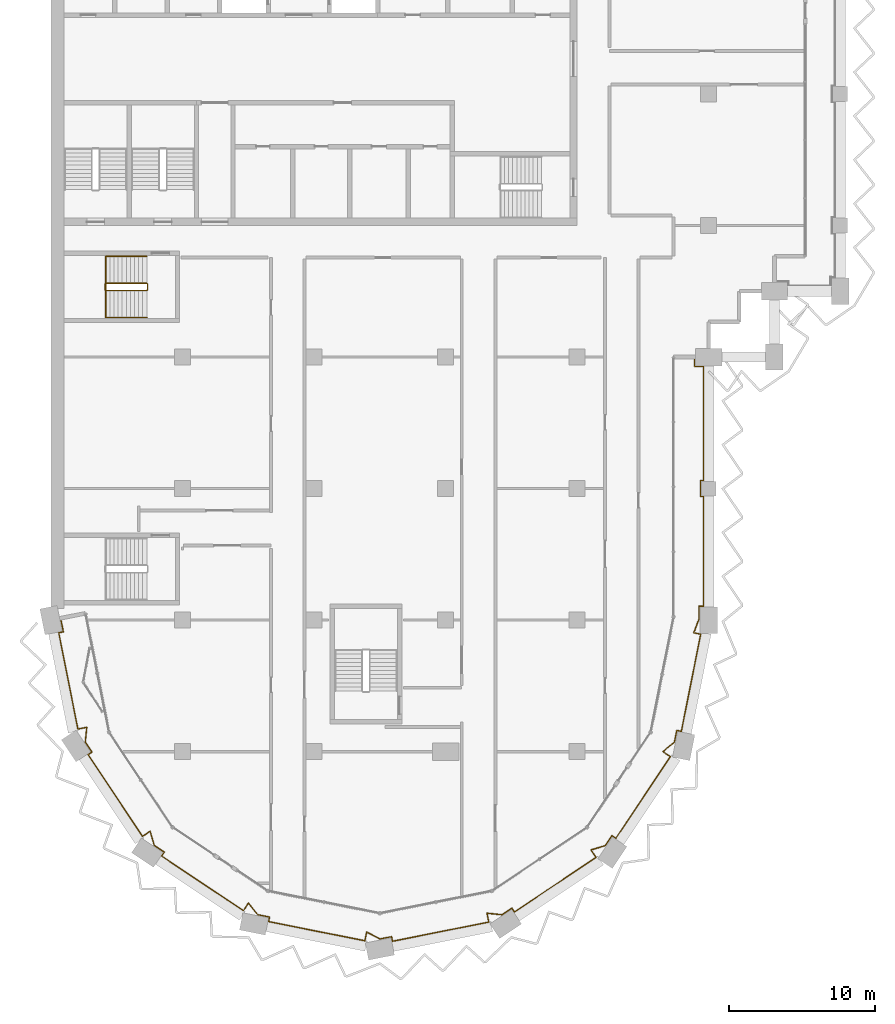
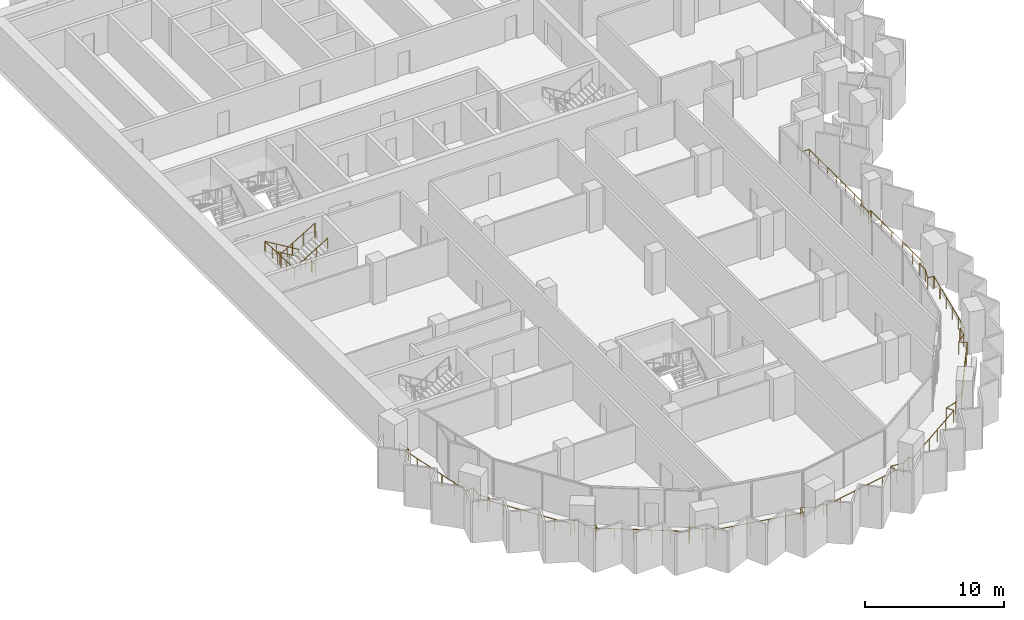
# One storey, part 17 of 19: 3 railings.
"""IFC4 building model written with IfcOpenShell, lengths in metres."""

from ifc_helpers import new_model, si_unit, direction, frame, origin, origin_2d, place, context, subcontext, project, spatial, circle, extrude, material, type_object, element, save


model = new_model("IFC4")

# Units and contexts
model_context = context("Model", 3, precision=1e-05, world=origin(), true_north=direction((0.0, 1.0)))
body_context = subcontext(model_context, "Body", "Model", "MODEL_VIEW")
ifc_project = project(units=[si_unit("LENGTHUNIT", "METRE"), si_unit("AREAUNIT", "SQUARE_METRE"), si_unit("VOLUMEUNIT", "CUBIC_METRE"), si_unit("PLANEANGLEUNIT", "RADIAN"), si_unit("MASSUNIT", "GRAM", prefix="KILO")], contexts=[model_context])

# Site, building, storey
site_placement = place(None, origin())
site = spatial("IfcSite", under=ifc_project, at=site_placement, CompositionType="ELEMENT")
building_placement = place(site_placement, origin())
building = spatial("IfcBuilding", under=site, at=building_placement, Name="Hunhe Ridgeline Campus", CompositionType="ELEMENT")
storey_placement = place(building_placement, frame((0.0, 0.0, 216.10009765625)))
storey = spatial("IfcBuildingStorey", under=building, at=storey_placement, Name="L55", CompositionType="ELEMENT", Elevation=216.10009765625)

# Railings
ifc_material_1 = material(Name="Steel Q355", Category="steel")
railing_type_1 = type_object("IfcRailingType", Name="Loggia guard 1100 Steel Q355", PredefinedType="GUARDRAIL", material=ifc_material_1)
railing_1_placement = place(storey_placement, frame((0.6572265625, 36.130615234375, 0.0)))
element("IfcRailing", 1, at=railing_1_placement, inside=storey, type_object=railing_type_1, Name="Loggia guard 1", PredefinedType="GUARDRAIL", context=body_context, shape_type="SweptSolid", body=[
    extrude(circle(Radius=0.02392578125, at=origin_2d()), frame((0.0, 0.0, 1.076171875), z_axis=(0.195078060519, -0.980787719287, 0.0), x_axis=(0.980787719287, 0.195078060519, 0.0)), (0.0, 0.0, 1.0), 0.949951171875),
    extrude(circle(Radius=0.02392578125, at=origin_2d()), frame((0.185302734375, -0.931640625, 1.076171875), z_axis=(-0.980756274917, -0.195236085831, 0.0), x_axis=(0.195236085831, -0.980756274917, 0.0)), (0.0, 0.0, 1.0), 0.320068359375),
    extrude(circle(Radius=0.02392578125, at=origin_2d()), frame((-0.128662109375, -0.994140625, 1.076171875), z_axis=(0.195081688297, -0.980786997717, 0.0), x_axis=(0.980786997717, 0.195081688297, 0.0)), (0.0, 0.0, 1.0), 6.718017578125),
    extrude(circle(Radius=0.02392578125, at=origin_2d()), frame((1.181884765625, -7.5830078125, 1.076171875), z_axis=(0.980747227858, 0.195281527671, 0.0), x_axis=(-0.195281527671, 0.980747227858, 0.0)), (0.0, 0.0, 1.0), 0.618896484375),
    extrude(circle(Radius=0.02392578125, at=origin_2d()), frame((1.788818359375, -7.462158203125, 1.076171875), z_axis=(-0.100047453171, -0.99498266674, 0.0), x_axis=(0.99498266674, -0.100047453171, 0.0)), (0.0, 0.0, 1.0), 1.0224609375),
    extrude(circle(Radius=0.02392578125, at=origin_2d()), frame((1.6865234375, -8.4794921875, 1.076171875), z_axis=(0.555596479569, -0.83145207432, 0.0), x_axis=(0.83145207432, 0.555596479569, 0.0)), (0.0, 0.0, 1.0), 0.81689453125),
    extrude(circle(Radius=0.02392578125, at=origin_2d()), frame((2.140380859375, -9.15869140625, 1.076171875), z_axis=(-0.831580508376, -0.555404229448, 0.0), x_axis=(0.555404229448, -0.831580508376, 0.0)), (0.0, 0.0, 1.0), 0.320068359375),
    extrude(circle(Radius=0.02392578125, at=origin_2d()), frame((1.874267578125, -9.33642578125, 1.076171875), z_axis=(0.555588848626, -0.831457173451, 0.0), x_axis=(0.831457173451, 0.555588848626, 0.0)), (0.0, 0.0, 1.0), 6.718017578125),
    extrude(circle(Radius=0.02392578125, at=origin_2d()), frame((5.606689453125, -14.922119140625, 1.076171875), z_axis=(0.831442704119, 0.555610501851, 0.0), x_axis=(-0.555610501851, 0.831442704119, 0.0)), (0.0, 0.0, 1.0), 0.61865234375),
    extrude(circle(Radius=0.02392578125, at=origin_2d()), frame((6.12109375, -14.578369140625, 1.076171875), z_axis=(0.28844300651, -0.957497066312, 0.0), x_axis=(0.957497066312, 0.28844300651, 0.0)), (0.0, 0.0, 1.0), 1.0224609375),
    extrude(circle(Radius=0.02392578125, at=origin_2d()), frame((6.416015625, -15.557373046875, 1.076171875), z_axis=(0.831359782977, -0.55573456906, 0.0), x_axis=(0.55573456906, 0.831359782977, 0.0)), (0.0, 0.0, 1.0), 0.816650390625),
    extrude(circle(Radius=0.02392578125, at=origin_2d()), frame((7.094970703125, -16.01123046875, 1.076171875), z_axis=(-0.555404229448, -0.831580508376, 0.0), x_axis=(0.831580508376, -0.555404229448, 0.0)), (0.0, 0.0, 1.0), 0.320068359375),
    extrude(circle(Radius=0.02392578125, at=origin_2d()), frame((6.917236328125, -16.27734375, 1.076171875), z_axis=(0.831473961305, -0.555563724222, 0.0), x_axis=(0.555563724222, 0.831473961305, 0.0)), (0.0, 0.0, 1.0), 6.7177734375),
    extrude(circle(Radius=0.02392578125, at=origin_2d()), frame((12.5029296875, -20.009521484375, 1.076171875), z_axis=(0.555610501851, 0.831442704119, 0.0), x_axis=(-0.831442704119, 0.555610501851, 0.0)), (0.0, 0.0, 1.0), 0.61865234375),
    extrude(circle(Radius=0.02392578125, at=origin_2d()), frame((12.8466796875, -19.4951171875, 1.076171875), z_axis=(0.63289971186, -0.774233785576, 0.0), x_axis=(0.774233785576, 0.63289971186, 0.0)), (0.0, 0.0, 1.0), 1.022705078125),
    extrude(circle(Radius=0.02392578125, at=origin_2d()), frame((13.493896484375, -20.286865234375, 1.076171875), z_axis=(0.980821383877, -0.194908729743, 0.0), x_axis=(0.194908729743, 0.980821383877, 0.0)), (0.0, 0.0, 1.0), 0.816650390625),
    extrude(circle(Radius=0.02392578125, at=origin_2d()), frame((14.294921875, -20.446044921875, 1.076171875), z_axis=(-0.195236085831, -0.980756274917, 0.0), x_axis=(0.980756274917, -0.195236085831, 0.0)), (0.0, 0.0, 1.0), 0.320068359375),
    extrude(circle(Radius=0.02392578125, at=origin_2d()), frame((14.232421875, -20.760009765625, 1.076171875), z_axis=(0.980786997717, -0.195081688297, 0.0), x_axis=(0.195081688297, 0.980786997717, 0.0)), (0.0, 0.0, 1.0), 6.718017578125),
    extrude(circle(Radius=0.02392578125, at=origin_2d()), frame((20.8212890625, -22.070556640625, 1.076171875), z_axis=(0.194902020226, 0.980822717168, 0.0), x_axis=(-0.980822717168, 0.194902020226, 0.0)), (0.0, 0.0, 1.0), 0.618896484375),
    extrude(circle(Radius=0.02392578125, at=origin_2d()), frame((20.94189453125, -21.463623046875, 1.076171875), z_axis=(0.880961256043, -0.473188403652, 0.0), x_axis=(0.473188403652, 0.880961256043, 0.0)), (0.0, 0.0, 1.0), 1.022705078125),
    extrude(circle(Radius=0.02392578125, at=origin_2d()), frame((21.8427734375, -21.947509765625, 1.076171875), z_axis=(0.980764196543, 0.195196287822, 0.0), x_axis=(-0.195196287822, 0.980764196543, 0.0)), (0.0, 0.0, 1.0), 0.816650390625),
    extrude(circle(Radius=0.02392578125, at=origin_2d()), frame((22.643798828125, -21.7880859375, 1.076171875), z_axis=(0.195236085831, -0.980756274917, 0.0), x_axis=(0.980756274917, 0.195236085831, 0.0)), (0.0, 0.0, 1.0), 0.320068359375),
    extrude(circle(Radius=0.02392578125, at=origin_2d()), frame((22.706298828125, -22.10205078125, 1.076171875), z_axis=(0.980786997717, 0.195081688297, 0.0), x_axis=(-0.195081688297, 0.980786997717, 0.0)), (0.0, 0.0, 1.0), 6.718017578125),
    extrude(circle(Radius=0.02392578125, at=origin_2d()), frame((29.295166015625, -20.79150390625, 1.076171875), z_axis=(-0.195281527671, 0.980747227858, 0.0), x_axis=(-0.980747227858, -0.195281527671, 0.0)), (0.0, 0.0, 1.0), 0.618896484375),
    extrude(circle(Radius=0.02392578125, at=origin_2d()), frame((29.17431640625, -20.1845703125, 1.076171875), z_axis=(0.99498266674, -0.100047453171, 0.0), x_axis=(0.100047453171, 0.99498266674, 0.0)), (0.0, 0.0, 1.0), 1.0224609375),
    extrude(circle(Radius=0.02392578125, at=origin_2d()), frame((30.191650390625, -20.286865234375, 1.076171875), z_axis=(0.83145207432, 0.555596479569, 0.0), x_axis=(-0.555596479569, 0.83145207432, 0.0)), (0.0, 0.0, 1.0), 0.81689453125),
    extrude(circle(Radius=0.02392578125, at=origin_2d()), frame((30.870849609375, -19.8330078125, 1.076171875), z_axis=(0.555404229448, -0.831580508376, 0.0), x_axis=(0.831580508376, 0.555404229448, 0.0)), (0.0, 0.0, 1.0), 0.320068359375),
    extrude(circle(Radius=0.02392578125, at=origin_2d()), frame((31.048583984375, -20.09912109375, 1.076171875), z_axis=(0.831457173451, 0.555588848626, 0.0), x_axis=(-0.555588848626, 0.831457173451, 0.0)), (0.0, 0.0, 1.0), 6.718017578125),
    extrude(circle(Radius=0.02392578125, at=origin_2d()), frame((36.63427734375, -16.36669921875, 1.076171875), z_axis=(-0.555610501851, 0.831442704119, 0.0), x_axis=(-0.831442704119, -0.555610501851, 0.0)), (0.0, 0.0, 1.0), 0.61865234375),
    extrude(circle(Radius=0.02392578125, at=origin_2d()), frame((36.29052734375, -15.852294921875, 1.076171875), z_axis=(0.957497066312, 0.28844300651, 0.0), x_axis=(-0.28844300651, 0.957497066312, 0.0)), (0.0, 0.0, 1.0), 1.0224609375),
    extrude(circle(Radius=0.02392578125, at=origin_2d()), frame((37.26953125, -15.557373046875, 1.076171875), z_axis=(0.55573456906, 0.831359782977, 0.0), x_axis=(-0.831359782977, 0.55573456906, 0.0)), (0.0, 0.0, 1.0), 0.816650390625),
    extrude(circle(Radius=0.02392578125, at=origin_2d()), frame((37.723388671875, -14.87841796875, 1.076171875), z_axis=(0.831580508376, -0.555404229448, 0.0), x_axis=(0.555404229448, 0.831580508376, 0.0)), (0.0, 0.0, 1.0), 0.320068359375),
    extrude(circle(Radius=0.02392578125, at=origin_2d()), frame((37.989501953125, -15.05615234375, 1.076171875), z_axis=(0.555563724222, 0.831473961305, 0.0), x_axis=(-0.831473961305, 0.555563724222, 0.0)), (0.0, 0.0, 1.0), 6.7177734375),
    extrude(circle(Radius=0.02392578125, at=origin_2d()), frame((41.7216796875, -9.470458984375, 1.076171875), z_axis=(-0.831442704119, 0.555610501851, 0.0), x_axis=(-0.555610501851, -0.831442704119, 0.0)), (0.0, 0.0, 1.0), 0.61865234375),
    extrude(circle(Radius=0.02392578125, at=origin_2d()), frame((41.207275390625, -9.126708984375, 1.076171875), z_axis=(0.774233785576, 0.63289971186, 0.0), x_axis=(-0.63289971186, 0.774233785576, 0.0)), (0.0, 0.0, 1.0), 1.022705078125),
    extrude(circle(Radius=0.02392578125, at=origin_2d()), frame((41.9990234375, -8.4794921875, 1.076171875), z_axis=(0.194908729743, 0.980821383877, 0.0), x_axis=(-0.980821383877, 0.194908729743, 0.0)), (0.0, 0.0, 1.0), 0.816650390625),
    extrude(circle(Radius=0.02392578125, at=origin_2d()), frame((42.158203125, -7.678466796875, 1.076171875), z_axis=(0.980756274917, -0.195236085831, 0.0), x_axis=(0.195236085831, 0.980756274917, 0.0)), (0.0, 0.0, 1.0), 0.320068359375),
    extrude(circle(Radius=0.02392578125, at=origin_2d()), frame((42.47216796875, -7.740966796875, 1.076171875), z_axis=(0.195084106665, 0.980786516693, 0.0), x_axis=(-0.980786516693, 0.195084106665, 0.0)), (0.0, 0.0, 1.0), 6.779296875),
    extrude(circle(Radius=0.02392578125, at=origin_2d()), frame((43.794677734375, -1.092041015625, 1.076171875), z_axis=(-0.980754922768, 0.195242878144, 0.0), x_axis=(-0.195242878144, -0.980754922768, 0.0)), (0.0, 0.0, 1.0), 0.48388671875),
    extrude(circle(Radius=0.02392578125, at=origin_2d()), frame((43.320068359375, -0.99755859375, 1.076171875), z_axis=(0.353724256779, 0.93534974751, 0.0), x_axis=(-0.93534974751, 0.353724256779, 0.0)), (0.0, 0.0, 1.0), 0.997314453125),
    extrude(circle(Radius=0.02392578125, at=origin_2d()), frame((43.6728515625, -0.064697265625, 1.076171875), z_axis=(0.0, 1.0, 0.0), x_axis=(-1.0, 0.0, 0.0)), (0.0, 0.0, 1.0), 0.884033203125),
    extrude(circle(Radius=0.02392578125, at=origin_2d()), frame((43.6728515625, 0.8193359375, 1.076171875), z_axis=(1.0, 0.0, 0.0), x_axis=(0.0, 1.0, 0.0)), (0.0, 0.0, 1.0), 0.31982421875),
    extrude(circle(Radius=0.02392578125, at=origin_2d()), frame((43.99267578125, 0.8193359375, 1.076171875), z_axis=(0.0, 1.0, 0.0), x_axis=(-1.0, 0.0, 0.0)), (0.0, 0.0, 1.0), 7.5),
    extrude(circle(Radius=0.02392578125, at=origin_2d()), frame((43.99267578125, 8.3193359375, 1.076171875), z_axis=(-1.0, 0.0, 0.0), x_axis=(0.0, -1.0, 0.0)), (0.0, 0.0, 1.0), 0.219970703125),
    extrude(circle(Radius=0.02392578125, at=origin_2d()), frame((43.772705078125, 8.3193359375, 1.076171875), z_axis=(0.0, 1.0, 0.0), x_axis=(-1.0, 0.0, 0.0)), (0.0, 0.0, 1.0), 1.10009765625),
    extrude(circle(Radius=0.02392578125, at=origin_2d()), frame((43.772705078125, 9.41943359375, 1.076171875), z_axis=(1.0, 0.0, 0.0), x_axis=(0.0, 1.0, 0.0)), (0.0, 0.0, 1.0), 0.219970703125),
    extrude(circle(Radius=0.02392578125, at=origin_2d()), frame((43.99267578125, 9.41943359375, 1.076171875), z_axis=(0.0, 1.0, 0.0), x_axis=(-1.0, 0.0, 0.0)), (0.0, 0.0, 1.0), 7.800048828125),
    extrude(circle(Radius=0.02392578125, at=origin_2d()), frame((43.99267578125, 17.219482421875, 1.076171875), z_axis=(-1.0, 0.0, 0.0), x_axis=(0.0, -1.0, 0.0)), (0.0, 0.0, 1.0), 0.619873046875),
    extrude(circle(Radius=0.02392578125, at=origin_2d()), frame((43.372802734375, 17.219482421875, 1.076171875), z_axis=(0.0, 1.0, 0.0), x_axis=(-1.0, 0.0, 0.0)), (0.0, 0.0, 1.0), 0.64990234375),
    extrude(circle(Radius=0.02099609375, at=origin_2d()), origin(), (0.0, 0.0, 1.0), 1.052001953125),
    extrude(circle(Radius=0.02099609375, at=origin_2d()), frame((0.185302734375, -0.931640625, 0.0)), (0.0, 0.0, 1.0), 1.052001953125),
    extrude(circle(Radius=0.02099609375, at=origin_2d()), frame((-0.128662109375, -0.994140625, 0.0)), (0.0, 0.0, 1.0), 1.052001953125),
    extrude(circle(Radius=0.02099609375, at=origin_2d()), frame((0.133544921875, -2.31201171875, 0.0)), (0.0, 0.0, 1.0), 1.052001953125),
    extrude(circle(Radius=0.02099609375, at=origin_2d()), frame((0.3955078125, -3.629638671875, 0.0)), (0.0, 0.0, 1.0), 1.052001953125),
    extrude(circle(Radius=0.02099609375, at=origin_2d()), frame((0.65771484375, -4.947509765625, 0.0)), (0.0, 0.0, 1.0), 1.052001953125),
    extrude(circle(Radius=0.02099609375, at=origin_2d()), frame((0.919677734375, -6.26513671875, 0.0)), (0.0, 0.0, 1.0), 1.052001953125),
    extrude(circle(Radius=0.02099609375, at=origin_2d()), frame((1.181884765625, -7.5830078125, 0.0)), (0.0, 0.0, 1.0), 1.052001953125),
    extrude(circle(Radius=0.02099609375, at=origin_2d()), frame((1.788818359375, -7.462158203125, 0.0)), (0.0, 0.0, 1.0), 1.052001953125),
    extrude(circle(Radius=0.02099609375, at=origin_2d()), frame((1.6865234375, -8.4794921875, 0.0)), (0.0, 0.0, 1.0), 1.052001953125),
    extrude(circle(Radius=0.02099609375, at=origin_2d()), frame((2.140380859375, -9.15869140625, 0.0)), (0.0, 0.0, 1.0), 1.052001953125),
    extrude(circle(Radius=0.02099609375, at=origin_2d()), frame((1.874267578125, -9.33642578125, 0.0)), (0.0, 0.0, 1.0), 1.052001953125),
    extrude(circle(Radius=0.02099609375, at=origin_2d()), frame((2.620849609375, -10.45361328125, 0.0)), (0.0, 0.0, 1.0), 1.052001953125),
    extrude(circle(Radius=0.02099609375, at=origin_2d()), frame((3.3671875, -11.57080078125, 0.0)), (0.0, 0.0, 1.0), 1.052001953125),
    extrude(circle(Radius=0.02099609375, at=origin_2d()), frame((4.11376953125, -12.687744140625, 0.0)), (0.0, 0.0, 1.0), 1.052001953125),
    extrude(circle(Radius=0.02099609375, at=origin_2d()), frame((4.860107421875, -13.804931640625, 0.0)), (0.0, 0.0, 1.0), 1.052001953125),
    extrude(circle(Radius=0.02099609375, at=origin_2d()), frame((5.606689453125, -14.922119140625, 0.0)), (0.0, 0.0, 1.0), 1.052001953125),
    extrude(circle(Radius=0.02099609375, at=origin_2d()), frame((6.12109375, -14.578369140625, 0.0)), (0.0, 0.0, 1.0), 1.052001953125),
    extrude(circle(Radius=0.02099609375, at=origin_2d()), frame((6.416015625, -15.557373046875, 0.0)), (0.0, 0.0, 1.0), 1.052001953125),
    extrude(circle(Radius=0.02099609375, at=origin_2d()), frame((7.094970703125, -16.01123046875, 0.0)), (0.0, 0.0, 1.0), 1.052001953125),
    extrude(circle(Radius=0.02099609375, at=origin_2d()), frame((6.917236328125, -16.27734375, 0.0)), (0.0, 0.0, 1.0), 1.052001953125),
    extrude(circle(Radius=0.02099609375, at=origin_2d()), frame((8.034423828125, -17.023681640625, 0.0)), (0.0, 0.0, 1.0), 1.052001953125),
    extrude(circle(Radius=0.02099609375, at=origin_2d()), frame((9.151611328125, -17.770263671875, 0.0)), (0.0, 0.0, 1.0), 1.052001953125),
    extrude(circle(Radius=0.02099609375, at=origin_2d()), frame((10.2685546875, -18.5166015625, 0.0)), (0.0, 0.0, 1.0), 1.052001953125),
    extrude(circle(Radius=0.02099609375, at=origin_2d()), frame((11.3857421875, -19.26318359375, 0.0)), (0.0, 0.0, 1.0), 1.052001953125),
    extrude(circle(Radius=0.02099609375, at=origin_2d()), frame((12.5029296875, -20.009521484375, 0.0)), (0.0, 0.0, 1.0), 1.052001953125),
    extrude(circle(Radius=0.02099609375, at=origin_2d()), frame((12.8466796875, -19.4951171875, 0.0)), (0.0, 0.0, 1.0), 1.052001953125),
    extrude(circle(Radius=0.02099609375, at=origin_2d()), frame((13.493896484375, -20.286865234375, 0.0)), (0.0, 0.0, 1.0), 1.052001953125),
    extrude(circle(Radius=0.02099609375, at=origin_2d()), frame((14.294921875, -20.446044921875, 0.0)), (0.0, 0.0, 1.0), 1.052001953125),
    extrude(circle(Radius=0.02099609375, at=origin_2d()), frame((14.232421875, -20.760009765625, 0.0)), (0.0, 0.0, 1.0), 1.052001953125),
    extrude(circle(Radius=0.02099609375, at=origin_2d()), frame((15.55029296875, -21.022216796875, 0.0)), (0.0, 0.0, 1.0), 1.052001953125),
    extrude(circle(Radius=0.02099609375, at=origin_2d()), frame((16.867919921875, -21.2841796875, 0.0)), (0.0, 0.0, 1.0), 1.052001953125),
    extrude(circle(Radius=0.02099609375, at=origin_2d()), frame((18.185791015625, -21.54638671875, 0.0)), (0.0, 0.0, 1.0), 1.052001953125),
    extrude(circle(Radius=0.02099609375, at=origin_2d()), frame((19.50341796875, -21.808349609375, 0.0)), (0.0, 0.0, 1.0), 1.052001953125),
    extrude(circle(Radius=0.02099609375, at=origin_2d()), frame((20.8212890625, -22.070556640625, 0.0)), (0.0, 0.0, 1.0), 1.052001953125),
    extrude(circle(Radius=0.02099609375, at=origin_2d()), frame((20.94189453125, -21.463623046875, 0.0)), (0.0, 0.0, 1.0), 1.052001953125),
    extrude(circle(Radius=0.02099609375, at=origin_2d()), frame((21.8427734375, -21.947509765625, 0.0)), (0.0, 0.0, 1.0), 1.052001953125),
    extrude(circle(Radius=0.02099609375, at=origin_2d()), frame((22.643798828125, -21.7880859375, 0.0)), (0.0, 0.0, 1.0), 1.052001953125),
    extrude(circle(Radius=0.02099609375, at=origin_2d()), frame((22.706298828125, -22.10205078125, 0.0)), (0.0, 0.0, 1.0), 1.052001953125),
    extrude(circle(Radius=0.02099609375, at=origin_2d()), frame((24.024169921875, -21.83984375, 0.0)), (0.0, 0.0, 1.0), 1.052001953125),
    extrude(circle(Radius=0.02099609375, at=origin_2d()), frame((25.341796875, -21.577880859375, 0.0)), (0.0, 0.0, 1.0), 1.052001953125),
    extrude(circle(Radius=0.02099609375, at=origin_2d()), frame((26.65966796875, -21.315673828125, 0.0)), (0.0, 0.0, 1.0), 1.052001953125),
    extrude(circle(Radius=0.02099609375, at=origin_2d()), frame((27.977294921875, -21.0537109375, 0.0)), (0.0, 0.0, 1.0), 1.052001953125),
    extrude(circle(Radius=0.02099609375, at=origin_2d()), frame((29.295166015625, -20.79150390625, 0.0)), (0.0, 0.0, 1.0), 1.052001953125),
    extrude(circle(Radius=0.02099609375, at=origin_2d()), frame((29.17431640625, -20.1845703125, 0.0)), (0.0, 0.0, 1.0), 1.052001953125),
    extrude(circle(Radius=0.02099609375, at=origin_2d()), frame((30.191650390625, -20.286865234375, 0.0)), (0.0, 0.0, 1.0), 1.052001953125),
    extrude(circle(Radius=0.02099609375, at=origin_2d()), frame((30.870849609375, -19.8330078125, 0.0)), (0.0, 0.0, 1.0), 1.052001953125),
    extrude(circle(Radius=0.02099609375, at=origin_2d()), frame((31.048583984375, -20.09912109375, 0.0)), (0.0, 0.0, 1.0), 1.052001953125),
    extrude(circle(Radius=0.02099609375, at=origin_2d()), frame((32.165771484375, -19.3525390625, 0.0)), (0.0, 0.0, 1.0), 1.052001953125),
    extrude(circle(Radius=0.02099609375, at=origin_2d()), frame((33.282958984375, -18.606201171875, 0.0)), (0.0, 0.0, 1.0), 1.052001953125),
    extrude(circle(Radius=0.02099609375, at=origin_2d()), frame((34.39990234375, -17.859619140625, 0.0)), (0.0, 0.0, 1.0), 1.052001953125),
    extrude(circle(Radius=0.02099609375, at=origin_2d()), frame((35.51708984375, -17.11328125, 0.0)), (0.0, 0.0, 1.0), 1.052001953125),
    extrude(circle(Radius=0.02099609375, at=origin_2d()), frame((36.63427734375, -16.36669921875, 0.0)), (0.0, 0.0, 1.0), 1.052001953125),
    extrude(circle(Radius=0.02099609375, at=origin_2d()), frame((36.29052734375, -15.852294921875, 0.0)), (0.0, 0.0, 1.0), 1.052001953125),
    extrude(circle(Radius=0.02099609375, at=origin_2d()), frame((37.26953125, -15.557373046875, 0.0)), (0.0, 0.0, 1.0), 1.052001953125),
    extrude(circle(Radius=0.02099609375, at=origin_2d()), frame((37.723388671875, -14.87841796875, 0.0)), (0.0, 0.0, 1.0), 1.052001953125),
    extrude(circle(Radius=0.02099609375, at=origin_2d()), frame((37.989501953125, -15.05615234375, 0.0)), (0.0, 0.0, 1.0), 1.052001953125),
    extrude(circle(Radius=0.02099609375, at=origin_2d()), frame((38.73583984375, -13.93896484375, 0.0)), (0.0, 0.0, 1.0), 1.052001953125),
    extrude(circle(Radius=0.02099609375, at=origin_2d()), frame((39.482421875, -12.82177734375, 0.0)), (0.0, 0.0, 1.0), 1.052001953125),
    extrude(circle(Radius=0.02099609375, at=origin_2d()), frame((40.228759765625, -11.704833984375, 0.0)), (0.0, 0.0, 1.0), 1.052001953125),
    extrude(circle(Radius=0.02099609375, at=origin_2d()), frame((40.975341796875, -10.587646484375, 0.0)), (0.0, 0.0, 1.0), 1.052001953125),
    extrude(circle(Radius=0.02099609375, at=origin_2d()), frame((41.7216796875, -9.470458984375, 0.0)), (0.0, 0.0, 1.0), 1.052001953125),
    extrude(circle(Radius=0.02099609375, at=origin_2d()), frame((41.207275390625, -9.126708984375, 0.0)), (0.0, 0.0, 1.0), 1.052001953125),
    extrude(circle(Radius=0.02099609375, at=origin_2d()), frame((41.9990234375, -8.4794921875, 0.0)), (0.0, 0.0, 1.0), 1.052001953125),
    extrude(circle(Radius=0.02099609375, at=origin_2d()), frame((42.158203125, -7.678466796875, 0.0)), (0.0, 0.0, 1.0), 1.052001953125),
    extrude(circle(Radius=0.02099609375, at=origin_2d()), frame((42.47216796875, -7.740966796875, 0.0)), (0.0, 0.0, 1.0), 1.052001953125),
    extrude(circle(Radius=0.02099609375, at=origin_2d()), frame((42.736572265625, -6.4111328125, 0.0)), (0.0, 0.0, 1.0), 1.052001953125),
    extrude(circle(Radius=0.02099609375, at=origin_2d()), frame((43.001220703125, -5.081298828125, 0.0)), (0.0, 0.0, 1.0), 1.052001953125),
    extrude(circle(Radius=0.02099609375, at=origin_2d()), frame((43.265625, -3.751708984375, 0.0)), (0.0, 0.0, 1.0), 1.052001953125),
    extrude(circle(Radius=0.02099609375, at=origin_2d()), frame((43.5302734375, -2.421875, 0.0)), (0.0, 0.0, 1.0), 1.052001953125),
    extrude(circle(Radius=0.02099609375, at=origin_2d()), frame((43.794677734375, -1.092041015625, 0.0)), (0.0, 0.0, 1.0), 1.052001953125),
    extrude(circle(Radius=0.02099609375, at=origin_2d()), frame((43.320068359375, -0.99755859375, 0.0)), (0.0, 0.0, 1.0), 1.052001953125),
    extrude(circle(Radius=0.02099609375, at=origin_2d()), frame((43.6728515625, -0.064697265625, 0.0)), (0.0, 0.0, 1.0), 1.052001953125),
    extrude(circle(Radius=0.02099609375, at=origin_2d()), frame((43.6728515625, 0.8193359375, 0.0)), (0.0, 0.0, 1.0), 1.052001953125),
    extrude(circle(Radius=0.02099609375, at=origin_2d()), frame((43.99267578125, 0.8193359375, 0.0)), (0.0, 0.0, 1.0), 1.052001953125),
    extrude(circle(Radius=0.02099609375, at=origin_2d()), frame((43.99267578125, 2.3193359375, 0.0)), (0.0, 0.0, 1.0), 1.052001953125),
    extrude(circle(Radius=0.02099609375, at=origin_2d()), frame((43.99267578125, 3.8193359375, 0.0)), (0.0, 0.0, 1.0), 1.052001953125),
    extrude(circle(Radius=0.02099609375, at=origin_2d()), frame((43.99267578125, 5.3193359375, 0.0)), (0.0, 0.0, 1.0), 1.052001953125),
    extrude(circle(Radius=0.02099609375, at=origin_2d()), frame((43.99267578125, 6.8193359375, 0.0)), (0.0, 0.0, 1.0), 1.052001953125),
    extrude(circle(Radius=0.02099609375, at=origin_2d()), frame((43.99267578125, 8.3193359375, 0.0)), (0.0, 0.0, 1.0), 1.052001953125),
    extrude(circle(Radius=0.02099609375, at=origin_2d()), frame((43.772705078125, 8.3193359375, 0.0)), (0.0, 0.0, 1.0), 1.052001953125),
    extrude(circle(Radius=0.02099609375, at=origin_2d()), frame((43.772705078125, 9.41943359375, 0.0)), (0.0, 0.0, 1.0), 1.052001953125),
    extrude(circle(Radius=0.02099609375, at=origin_2d()), frame((43.99267578125, 9.41943359375, 0.0)), (0.0, 0.0, 1.0), 1.052001953125),
    extrude(circle(Radius=0.02099609375, at=origin_2d()), frame((43.99267578125, 10.719482421875, 0.0)), (0.0, 0.0, 1.0), 1.052001953125),
    extrude(circle(Radius=0.02099609375, at=origin_2d()), frame((43.99267578125, 12.01953125, 0.0)), (0.0, 0.0, 1.0), 1.052001953125),
    extrude(circle(Radius=0.02099609375, at=origin_2d()), frame((43.99267578125, 13.3193359375, 0.0)), (0.0, 0.0, 1.0), 1.052001953125),
    extrude(circle(Radius=0.02099609375, at=origin_2d()), frame((43.99267578125, 14.619384765625, 0.0)), (0.0, 0.0, 1.0), 1.052001953125),
    extrude(circle(Radius=0.02099609375, at=origin_2d()), frame((43.99267578125, 15.91943359375, 0.0)), (0.0, 0.0, 1.0), 1.052001953125),
    extrude(circle(Radius=0.02099609375, at=origin_2d()), frame((43.99267578125, 17.219482421875, 0.0)), (0.0, 0.0, 1.0), 1.052001953125),
    extrude(circle(Radius=0.02099609375, at=origin_2d()), frame((43.372802734375, 17.219482421875, 0.0)), (0.0, 0.0, 1.0), 1.052001953125),
    extrude(circle(Radius=0.02099609375, at=origin_2d()), frame((43.372802734375, 17.869384765625, 0.0)), (0.0, 0.0, 1.0), 1.052001953125),
])
ifc_material_2 = material(Name="Stainless steel balustrade", Category="steel")
railing_type_2 = type_object("IfcRailingType", Name="Stair guard 1100 stainless", PredefinedType="GUARDRAIL", material=ifc_material_2)
railing_2_placement = place(storey_placement, frame((6.550048828125, 59.050048828125, 0.16796875)))
element("IfcRailing", 2, at=railing_2_placement, inside=storey, type_object=railing_type_2, Name="L55 stair W2 guard", PredefinedType="GUARDRAIL", context=body_context, shape_type="SweptSolid", body=[
    extrude(circle(Radius=0.02392578125, at=origin_2d()), frame((0.0, 0.0, 1.076171875), z_axis=(-0.857242210791, 0.0, 0.514913383045), x_axis=(0.0, -1.0, 0.0)), (0.0, 0.0, 1.0), 3.266357421875),
    extrude(circle(Radius=0.02392578125, at=origin_2d()), frame((-2.800048828125, 0.0, 2.7578125), z_axis=(-0.707106781187, -0.707106781187, 0.0), x_axis=(0.707106781187, -0.707106781187, 0.0)), (0.0, 0.0, 1.0), 0.07080078125),
    extrude(circle(Radius=0.02392578125, at=origin_2d()), frame((-2.85009765625, -0.050048828125, 2.7578125), z_axis=(0.0, -1.0, 0.0), x_axis=(1.0, 0.0, 0.0)), (0.0, 0.0, 1.0), 0.39990234375),
    extrude(circle(Radius=0.02392578125, at=origin_2d()), frame((-2.85009765625, -0.449951171875, 2.7578125), z_axis=(0.274243871929, -0.274243871929, 0.92172696468), x_axis=(0.707106781187, 0.707106781187, 0.0)), (0.0, 0.0, 1.0), 0.1826171875),
    extrude(circle(Radius=0.02392578125, at=origin_2d()), frame((-2.800048828125, -0.5, 2.92626953125), z_axis=(0.857242210791, 0.0, 0.514913383045), x_axis=(0.0, 1.0, 0.0)), (0.0, 0.0, 1.0), 3.266357421875),
    extrude(circle(Radius=0.02392578125, at=origin_2d()), frame((0.0, -0.5, 4.60791015625), z_axis=(0.013524414389, 0.013524414389, -0.999817073484), x_axis=(-0.707106781187, 0.707106781187, 0.0)), (0.0, 0.0, 1.0), 3.70068359375),
    extrude(circle(Radius=0.02392578125, at=origin_2d()), frame((0.050048828125, -0.449951171875, 0.908203125), z_axis=(0.0, 1.0, 0.0), x_axis=(-1.0, 0.0, 0.0)), (0.0, 0.0, 1.0), 0.39990234375),
    extrude(circle(Radius=0.02099609375, at=origin_2d()), origin(), (0.0, 0.0, 1.0), 1.052001953125),
    extrude(circle(Radius=0.02099609375, at=origin_2d()), frame((-0.933349609375, 0.0, 0.560546875)), (0.0, 0.0, 1.0), 1.052001953125),
    extrude(circle(Radius=0.02099609375, at=origin_2d()), frame((-1.86669921875, 0.0, 1.121337890625)), (0.0, 0.0, 1.0), 1.052001953125),
    extrude(circle(Radius=0.02099609375, at=origin_2d()), frame((-2.800048828125, 0.0, 1.681884765625)), (0.0, 0.0, 1.0), 1.052001953125),
    extrude(circle(Radius=0.02099609375, at=origin_2d()), frame((-2.85009765625, -0.050048828125, 1.681884765625)), (0.0, 0.0, 1.0), 1.052001953125),
    extrude(circle(Radius=0.02099609375, at=origin_2d()), frame((-2.85009765625, -0.449951171875, 1.681884765625)), (0.0, 0.0, 1.0), 1.052001953125),
    extrude(circle(Radius=0.02099609375, at=origin_2d()), frame((-2.800048828125, -0.5, 1.85009765625)), (0.0, 0.0, 1.0), 1.052001953125),
    extrude(circle(Radius=0.02099609375, at=origin_2d()), frame((-1.86669921875, -0.5, 2.41064453125)), (0.0, 0.0, 1.0), 1.052001953125),
    extrude(circle(Radius=0.02099609375, at=origin_2d()), frame((-0.933349609375, -0.5, 2.971435546875)), (0.0, 0.0, 1.0), 1.052001953125),
    extrude(circle(Radius=0.02099609375, at=origin_2d()), frame((0.0, -0.5, 3.531982421875)), (0.0, 0.0, 1.0), 1.052001953125),
    extrude(circle(Radius=0.02099609375, at=origin_2d()), frame((0.012451171875, -0.487548828125, 2.60693359375)), (0.0, 0.0, 1.0), 1.052001953125),
    extrude(circle(Radius=0.02099609375, at=origin_2d()), frame((0.02490234375, -0.47509765625, 1.68212890625)), (0.0, 0.0, 1.0), 1.052001953125),
    extrude(circle(Radius=0.02099609375, at=origin_2d()), frame((0.03759765625, -0.46240234375, 0.757080078125)), (0.0, 0.0, 1.0), 1.052001953125),
    extrude(circle(Radius=0.02099609375, at=origin_2d()), frame((0.050048828125, -0.449951171875, -0.16796875)), (0.0, 0.0, 1.0), 1.052001953125),
    extrude(circle(Radius=0.02099609375, at=origin_2d()), frame((0.050048828125, -0.050048828125, -0.16796875)), (0.0, 0.0, 1.0), 1.052001953125),
])
ifc_material_3 = material(Name="Stainless steel handrail", Category="steel")
railing_type_3 = type_object("IfcRailingType", Name="Stair handrail 900 stainless", PredefinedType="HANDRAIL", material=ifc_material_3)
railing_3_placement = place(storey_placement, frame((6.550048828125, 60.89990234375, 0.16796875)))
element("IfcRailing", 3, at=railing_3_placement, inside=storey, type_object=railing_type_3, Name="L55 stair W2 handrail", PredefinedType="HANDRAIL", context=body_context, shape_type="SweptSolid", body=[
    extrude(circle(Radius=0.02392578125, at=origin_2d()), frame((0.0, 0.0, 0.8759765625), z_axis=(-0.857242210791, 0.0, 0.514913383045), x_axis=(0.0, -1.0, 0.0)), (0.0, 0.0, 1.0), 3.266357421875),
    extrude(circle(Radius=0.02392578125, at=origin_2d()), frame((-2.800048828125, 0.0, 2.5576171875), z_axis=(0.0, -0.999198916169, 0.040019069537), x_axis=(1.0, 0.0, 0.0)), (0.0, 0.0, 1.0), 4.203369140625),
    extrude(circle(Radius=0.02392578125, at=origin_2d()), frame((-2.800048828125, -4.199951171875, 2.72607421875), z_axis=(0.857242210791, 0.0, 0.514913383045), x_axis=(0.0, 1.0, 0.0)), (0.0, 0.0, 1.0), 3.266357421875),
    extrude(circle(Radius=0.02099609375, at=origin_2d()), origin(), (0.0, 0.0, 1.0), 0.851806640625),
    extrude(circle(Radius=0.02099609375, at=origin_2d()), frame((-0.933349609375, 0.0, 0.560546875)), (0.0, 0.0, 1.0), 0.851806640625),
    extrude(circle(Radius=0.02099609375, at=origin_2d()), frame((-1.86669921875, 0.0, 1.121337890625)), (0.0, 0.0, 1.0), 0.851806640625),
    extrude(circle(Radius=0.02099609375, at=origin_2d()), frame((-2.800048828125, 0.0, 1.681884765625)), (0.0, 0.0, 1.0), 0.851806640625),
    extrude(circle(Radius=0.02099609375, at=origin_2d()), frame((-2.800048828125, -1.050048828125, 1.723876953125)), (0.0, 0.0, 1.0), 0.851806640625),
    extrude(circle(Radius=0.02099609375, at=origin_2d()), frame((-2.800048828125, -2.10009765625, 1.76611328125)), (0.0, 0.0, 1.0), 0.851806640625),
    extrude(circle(Radius=0.02099609375, at=origin_2d()), frame((-2.800048828125, -3.14990234375, 1.80810546875)), (0.0, 0.0, 1.0), 0.851806640625),
    extrude(circle(Radius=0.02099609375, at=origin_2d()), frame((-2.800048828125, -4.199951171875, 1.85009765625)), (0.0, 0.0, 1.0), 0.851806640625),
    extrude(circle(Radius=0.02099609375, at=origin_2d()), frame((-1.86669921875, -4.199951171875, 2.41064453125)), (0.0, 0.0, 1.0), 0.851806640625),
    extrude(circle(Radius=0.02099609375, at=origin_2d()), frame((-0.933349609375, -4.199951171875, 2.971435546875)), (0.0, 0.0, 1.0), 0.851806640625),
    extrude(circle(Radius=0.02099609375, at=origin_2d()), frame((0.0, -4.199951171875, 3.531982421875)), (0.0, 0.0, 1.0), 0.851806640625),
])

save(model, "model.ifc")
